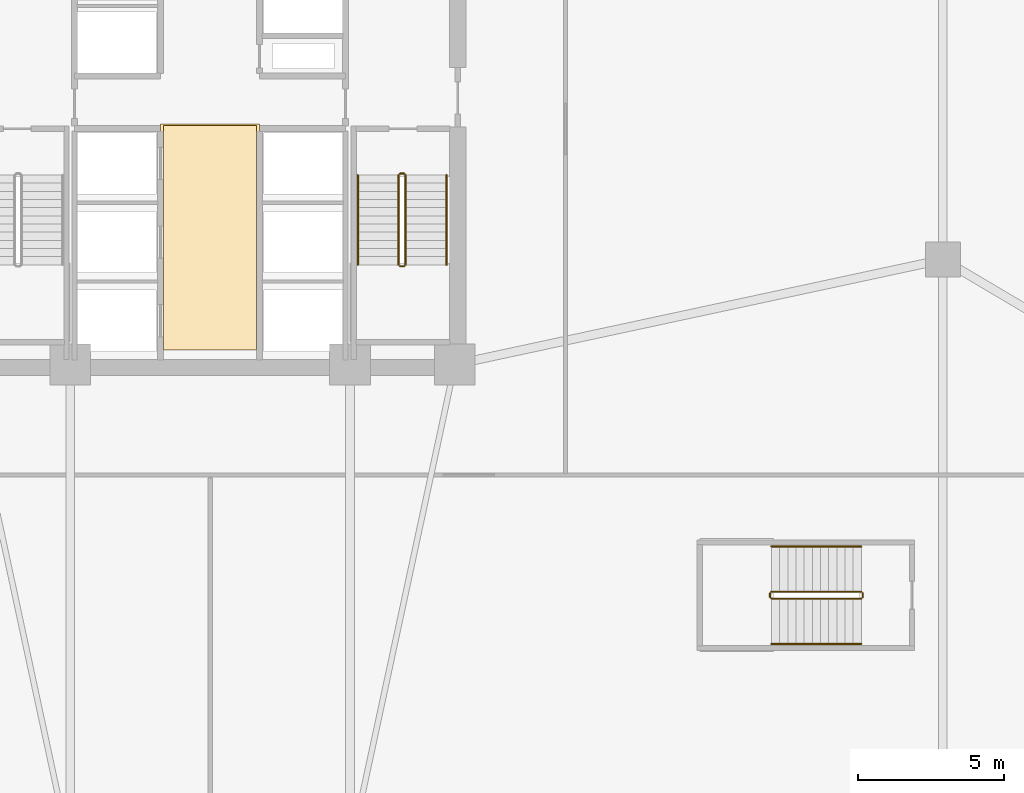
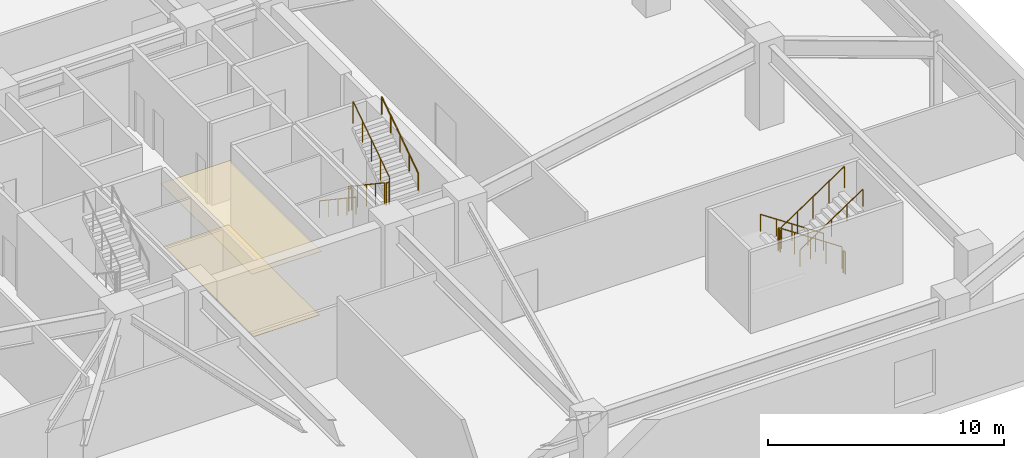
# One storey, part 18 of 21: 12 railings, 2 coverings.
"""IFC4 building model written with IfcOpenShell, lengths in metres."""

from ifc_helpers import new_model, si_unit, direction, frame, origin, origin_2d, place, context, subcontext, project, spatial, polyline, circle, outline, extrude, material, layer, layer_set, type_object, element, save


model = new_model("IFC4")

# Units and contexts
model_context = context("Model", 3, precision=1e-05, world=origin(), true_north=direction((0.0, 1.0)))
body_context = subcontext(model_context, "Body", "Model", "MODEL_VIEW")
ifc_project = project(units=[si_unit("LENGTHUNIT", "METRE"), si_unit("AREAUNIT", "SQUARE_METRE"), si_unit("VOLUMEUNIT", "CUBIC_METRE"), si_unit("PLANEANGLEUNIT", "RADIAN"), si_unit("MASSUNIT", "GRAM", prefix="KILO")], contexts=[model_context])

# Site, building, storey
site_placement = place(None, origin())
site = spatial("IfcSite", under=ifc_project, at=site_placement, CompositionType="ELEMENT")
building_placement = place(site_placement, origin())
building = spatial("IfcBuilding", under=site, at=building_placement, Name="Cairnveth Concourse Tower", CompositionType="ELEMENT")
storey_placement = place(building_placement, frame((0.0, 0.0, 10.0)))
storey = spatial("IfcBuildingStorey", under=building, at=storey_placement, Name="L02", CompositionType="ELEMENT", Elevation=10.0)

# Covering
ifc_material_1 = material(Name="Acoustic Mineral Fibre Ceiling", Category="gypsum")
ifc_layer_1 = layer(ifc_material_1, 0.02490234375)
ifc_layer_set_1 = layer_set([ifc_layer_1], Name="Acoustic Mineral Fibre Ceiling")
covering_type_1 = type_object("IfcCoveringType", Name="ACOUSTIC MINERAL FIBRE CEILING 25", PredefinedType="CEILING", material=ifc_layer_set_1)
covering_1_placement = place(storey_placement, frame((0.0, 0.0, 3.256103515625)))
element("IfcCovering", 1, at=covering_1_placement, inside=storey, type_object=covering_type_1, Name="Lift Lobby Acoustic Ceiling L02", PredefinedType="CEILING", context=body_context, shape_type="SweptSolid", body=[
    extrude(outline(polyline([(50.300048828125, 31.10009765625), (53.699951171875, 31.10009765625), (53.699951171875, 38.85009765625), (50.300048828125, 38.85009765625), (50.300048828125, 31.10009765625)])), origin(), (0.0, 0.0, 1.0), 0.02490234375),
])

# Railings
ifc_material_2 = material(Name="Steel Grade 350", Category="steel")
railing_type_1 = type_object("IfcRailingType", Name="STAIR GUARDRAIL 1150", PredefinedType="GUARDRAIL", material=ifc_material_2)
railing_1_placement = place(storey_placement, frame((58.469970703125, 37.10009765625, 0.1875)))
element("IfcRailing", 2, at=railing_1_placement, inside=storey, type_object=railing_type_1, Name="L02 ST-2 stair guard 1", PredefinedType="GUARDRAIL", context=body_context, shape_type="SweptSolid", body=[
    extrude(circle(Radius=0.02392578125, at=origin_2d()), frame((0.0, 0.0, 1.1259765625), z_axis=(0.0, -0.830913701846, 0.55640131208), x_axis=(1.0, 0.0, 0.0)), (0.0, 0.0, 1.0), 3.706787109375),
    extrude(circle(Radius=0.02099609375, at=origin_2d()), origin(), (0.0, 0.0, 1.0), 1.101806640625),
    extrude(circle(Radius=0.02099609375, at=origin_2d()), frame((0.0, -0.77001953125, 0.515625)), (0.0, 0.0, 1.0), 1.101806640625),
    extrude(circle(Radius=0.02099609375, at=origin_2d()), frame((0.0, -1.5400390625, 1.03125)), (0.0, 0.0, 1.0), 1.101806640625),
    extrude(circle(Radius=0.02099609375, at=origin_2d()), frame((0.0, -2.31005859375, 1.546875)), (0.0, 0.0, 1.0), 1.101806640625),
    extrude(circle(Radius=0.02099609375, at=origin_2d()), frame((0.0, -3.080078125, 2.0625)), (0.0, 0.0, 1.0), 1.101806640625),
])
railing_2_placement = place(storey_placement, frame((58.52001953125, 33.969970703125, 2.25)))
element("IfcRailing", 3, at=railing_2_placement, inside=storey, type_object=railing_type_1, Name="L02 ST-2 stair guard 2", PredefinedType="GUARDRAIL", context=body_context, shape_type="SweptSolid", body=[
    extrude(circle(Radius=0.02392578125, at=origin_2d()), frame((0.0, 0.0, 1.1259765625), z_axis=(1.0, 0.0, 0.0), x_axis=(0.0, 1.0, 0.0)), (0.0, 0.0, 1.0), 0.139892578125),
    extrude(circle(Radius=0.02099609375, at=origin_2d()), origin(), (0.0, 0.0, 1.0), 1.101806640625),
    extrude(circle(Radius=0.02099609375, at=origin_2d()), frame((0.139892578125, 0.0, 0.0)), (0.0, 0.0, 1.0), 1.101806640625),
])
railing_3_placement = place(storey_placement, frame((58.7099609375, 34.02001953125, 2.4375)))
element("IfcRailing", 4, at=railing_3_placement, inside=storey, type_object=railing_type_1, Name="L02 ST-2 stair guard 3", PredefinedType="GUARDRAIL", context=body_context, shape_type="SweptSolid", body=[
    extrude(circle(Radius=0.02392578125, at=origin_2d()), frame((0.0, 0.0, 1.1259765625), z_axis=(0.0, 0.830913701846, 0.55640131208), x_axis=(-1.0, 0.0, 0.0)), (0.0, 0.0, 1.0), 3.706787109375),
    extrude(circle(Radius=0.02099609375, at=origin_2d()), origin(), (0.0, 0.0, 1.0), 1.101806640625),
    extrude(circle(Radius=0.02099609375, at=origin_2d()), frame((0.0, 0.77001953125, 0.515625)), (0.0, 0.0, 1.0), 1.101806640625),
    extrude(circle(Radius=0.02099609375, at=origin_2d()), frame((0.0, 1.5400390625, 1.03125)), (0.0, 0.0, 1.0), 1.101806640625),
    extrude(circle(Radius=0.02099609375, at=origin_2d()), frame((0.0, 2.31005859375, 1.546875)), (0.0, 0.0, 1.0), 1.101806640625),
    extrude(circle(Radius=0.02099609375, at=origin_2d()), frame((0.0, 3.080078125, 2.0625)), (0.0, 0.0, 1.0), 1.101806640625),
])
railing_4_placement = place(storey_placement, frame((58.52001953125, 37.14990234375, 0.0)))
element("IfcRailing", 5, at=railing_4_placement, inside=storey, type_object=railing_type_1, Name="L02 ST-2 stair guard 4", PredefinedType="GUARDRAIL", context=body_context, shape_type="SweptSolid", body=[
    extrude(circle(Radius=0.02392578125, at=origin_2d()), frame((0.0, 0.0, 1.1259765625), z_axis=(1.0, 0.0, 0.0), x_axis=(0.0, 1.0, 0.0)), (0.0, 0.0, 1.0), 0.139892578125),
    extrude(circle(Radius=0.02099609375, at=origin_2d()), origin(), (0.0, 0.0, 1.0), 1.101806640625),
    extrude(circle(Radius=0.02099609375, at=origin_2d()), frame((0.139892578125, 0.0, 0.0)), (0.0, 0.0, 1.0), 1.101806640625),
])
railing_5_placement = place(storey_placement, frame((74.35009765625, 22.800048828125, 0.1875)))
element("IfcRailing", 6, at=railing_5_placement, inside=storey, type_object=railing_type_1, Name="L02 ST-P2 stair guard 1", PredefinedType="GUARDRAIL", context=body_context, shape_type="SweptSolid", body=[
    extrude(circle(Radius=0.02392578125, at=origin_2d()), frame((0.0, 0.0, 1.1259765625), z_axis=(-0.830913701846, 0.0, 0.55640131208), x_axis=(0.0, -1.0, 0.0)), (0.0, 0.0, 1.0), 3.706787109375),
    extrude(circle(Radius=0.02099609375, at=origin_2d()), origin(), (0.0, 0.0, 1.0), 1.101806640625),
    extrude(circle(Radius=0.02099609375, at=origin_2d()), frame((-0.77001953125, 0.0, 0.515625)), (0.0, 0.0, 1.0), 1.101806640625),
    extrude(circle(Radius=0.02099609375, at=origin_2d()), frame((-1.5400390625, 0.0, 1.03125)), (0.0, 0.0, 1.0), 1.101806640625),
    extrude(circle(Radius=0.02099609375, at=origin_2d()), frame((-2.31005859375, 0.0, 1.546875)), (0.0, 0.0, 1.0), 1.101806640625),
    extrude(circle(Radius=0.02099609375, at=origin_2d()), frame((-3.080078125, 0.0, 2.0625)), (0.0, 0.0, 1.0), 1.101806640625),
])
railing_6_placement = place(storey_placement, frame((71.219970703125, 22.75, 2.25)))
element("IfcRailing", 7, at=railing_6_placement, inside=storey, type_object=railing_type_1, Name="L02 ST-P2 stair guard 2", PredefinedType="GUARDRAIL", context=body_context, shape_type="SweptSolid", body=[
    extrude(circle(Radius=0.02392578125, at=origin_2d()), frame((0.0, 0.0, 1.1259765625), z_axis=(0.0, -1.0, 0.0), x_axis=(1.0, 0.0, 0.0)), (0.0, 0.0, 1.0), 0.139892578125),
    extrude(circle(Radius=0.02099609375, at=origin_2d()), origin(), (0.0, 0.0, 1.0), 1.101806640625),
    extrude(circle(Radius=0.02099609375, at=origin_2d()), frame((0.0, -0.139892578125, 0.0)), (0.0, 0.0, 1.0), 1.101806640625),
])
railing_7_placement = place(storey_placement, frame((71.27001953125, 22.56005859375, 2.4375)))
element("IfcRailing", 8, at=railing_7_placement, inside=storey, type_object=railing_type_1, Name="L02 ST-P2 stair guard 3", PredefinedType="GUARDRAIL", context=body_context, shape_type="SweptSolid", body=[
    extrude(circle(Radius=0.02392578125, at=origin_2d()), frame((0.0, 0.0, 1.1259765625), z_axis=(0.830913701846, 0.0, 0.55640131208), x_axis=(0.0, 1.0, 0.0)), (0.0, 0.0, 1.0), 3.706787109375),
    extrude(circle(Radius=0.02099609375, at=origin_2d()), origin(), (0.0, 0.0, 1.0), 1.101806640625),
    extrude(circle(Radius=0.02099609375, at=origin_2d()), frame((0.77001953125, 0.0, 0.515625)), (0.0, 0.0, 1.0), 1.101806640625),
    extrude(circle(Radius=0.02099609375, at=origin_2d()), frame((1.5400390625, 0.0, 1.03125)), (0.0, 0.0, 1.0), 1.101806640625),
    extrude(circle(Radius=0.02099609375, at=origin_2d()), frame((2.31005859375, 0.0, 1.546875)), (0.0, 0.0, 1.0), 1.101806640625),
    extrude(circle(Radius=0.02099609375, at=origin_2d()), frame((3.080078125, 0.0, 2.0625)), (0.0, 0.0, 1.0), 1.101806640625),
])
railing_8_placement = place(storey_placement, frame((74.39990234375, 22.75, 0.0)))
element("IfcRailing", 9, at=railing_8_placement, inside=storey, type_object=railing_type_1, Name="L02 ST-P2 stair guard 4", PredefinedType="GUARDRAIL", context=body_context, shape_type="SweptSolid", body=[
    extrude(circle(Radius=0.02392578125, at=origin_2d()), frame((0.0, 0.0, 1.1259765625), z_axis=(0.0, -1.0, 0.0), x_axis=(1.0, 0.0, 0.0)), (0.0, 0.0, 1.0), 0.139892578125),
    extrude(circle(Radius=0.02099609375, at=origin_2d()), origin(), (0.0, 0.0, 1.0), 1.101806640625),
    extrude(circle(Radius=0.02099609375, at=origin_2d()), frame((0.0, -0.139892578125, 0.0)), (0.0, 0.0, 1.0), 1.101806640625),
])
railing_type_2 = type_object("IfcRailingType", Name="STAIR WALL HANDRAIL 900", PredefinedType="HANDRAIL", material=ifc_material_2)
railing_9_placement = place(storey_placement, frame((57.070068359375, 37.10009765625, 0.1875)))
element("IfcRailing", 10, at=railing_9_placement, inside=storey, type_object=railing_type_2, Name="L02 ST-2 stair handrail 1", PredefinedType="HANDRAIL", context=body_context, shape_type="SweptSolid", body=[
    extrude(circle(Radius=0.02392578125, at=origin_2d()), frame((0.0, 0.0, 0.8759765625), z_axis=(0.0, -0.830913701846, 0.55640131208), x_axis=(1.0, 0.0, 0.0)), (0.0, 0.0, 1.0), 3.706787109375),
    extrude(circle(Radius=0.02099609375, at=origin_2d()), origin(), (0.0, 0.0, 1.0), 0.851806640625),
    extrude(circle(Radius=0.02099609375, at=origin_2d()), frame((0.0, -0.77001953125, 0.515625)), (0.0, 0.0, 1.0), 0.851806640625),
    extrude(circle(Radius=0.02099609375, at=origin_2d()), frame((0.0, -1.5400390625, 1.03125)), (0.0, 0.0, 1.0), 0.851806640625),
    extrude(circle(Radius=0.02099609375, at=origin_2d()), frame((0.0, -2.31005859375, 1.546875)), (0.0, 0.0, 1.0), 0.851806640625),
    extrude(circle(Radius=0.02099609375, at=origin_2d()), frame((0.0, -3.080078125, 2.0625)), (0.0, 0.0, 1.0), 0.851806640625),
])
railing_10_placement = place(storey_placement, frame((60.110107421875, 34.02001953125, 2.4375)))
element("IfcRailing", 11, at=railing_10_placement, inside=storey, type_object=railing_type_2, Name="L02 ST-2 stair handrail 2", PredefinedType="HANDRAIL", context=body_context, shape_type="SweptSolid", body=[
    extrude(circle(Radius=0.02392578125, at=origin_2d()), frame((0.0, 0.0, 0.8759765625), z_axis=(0.0, 0.830913701846, 0.55640131208), x_axis=(-1.0, 0.0, 0.0)), (0.0, 0.0, 1.0), 3.706787109375),
    extrude(circle(Radius=0.02099609375, at=origin_2d()), origin(), (0.0, 0.0, 1.0), 0.851806640625),
    extrude(circle(Radius=0.02099609375, at=origin_2d()), frame((0.0, 0.77001953125, 0.515625)), (0.0, 0.0, 1.0), 0.851806640625),
    extrude(circle(Radius=0.02099609375, at=origin_2d()), frame((0.0, 1.5400390625, 1.03125)), (0.0, 0.0, 1.0), 0.851806640625),
    extrude(circle(Radius=0.02099609375, at=origin_2d()), frame((0.0, 2.31005859375, 1.546875)), (0.0, 0.0, 1.0), 0.851806640625),
    extrude(circle(Radius=0.02099609375, at=origin_2d()), frame((0.0, 3.080078125, 2.0625)), (0.0, 0.0, 1.0), 0.851806640625),
])
railing_11_placement = place(storey_placement, frame((74.35009765625, 24.35009765625, 0.1875)))
element("IfcRailing", 12, at=railing_11_placement, inside=storey, type_object=railing_type_2, Name="L02 ST-P2 stair handrail 1", PredefinedType="HANDRAIL", context=body_context, shape_type="SweptSolid", body=[
    extrude(circle(Radius=0.02392578125, at=origin_2d()), frame((0.0, 0.0, 0.8759765625), z_axis=(-0.830913701846, 0.0, 0.55640131208), x_axis=(0.0, -1.0, 0.0)), (0.0, 0.0, 1.0), 3.706787109375),
    extrude(circle(Radius=0.02099609375, at=origin_2d()), origin(), (0.0, 0.0, 1.0), 0.851806640625),
    extrude(circle(Radius=0.02099609375, at=origin_2d()), frame((-0.77001953125, 0.0, 0.515625)), (0.0, 0.0, 1.0), 0.851806640625),
    extrude(circle(Radius=0.02099609375, at=origin_2d()), frame((-1.5400390625, 0.0, 1.03125)), (0.0, 0.0, 1.0), 0.851806640625),
    extrude(circle(Radius=0.02099609375, at=origin_2d()), frame((-2.31005859375, 0.0, 1.546875)), (0.0, 0.0, 1.0), 0.851806640625),
    extrude(circle(Radius=0.02099609375, at=origin_2d()), frame((-3.080078125, 0.0, 2.0625)), (0.0, 0.0, 1.0), 0.851806640625),
])
railing_12_placement = place(storey_placement, frame((71.27001953125, 21.010009765625, 2.4375)))
element("IfcRailing", 13, at=railing_12_placement, inside=storey, type_object=railing_type_2, Name="L02 ST-P2 stair handrail 2", PredefinedType="HANDRAIL", context=body_context, shape_type="SweptSolid", body=[
    extrude(circle(Radius=0.02392578125, at=origin_2d()), frame((0.0, 0.0, 0.8759765625), z_axis=(0.830913701846, 0.0, 0.55640131208), x_axis=(0.0, 1.0, 0.0)), (0.0, 0.0, 1.0), 3.706787109375),
    extrude(circle(Radius=0.02099609375, at=origin_2d()), origin(), (0.0, 0.0, 1.0), 0.851806640625),
    extrude(circle(Radius=0.02099609375, at=origin_2d()), frame((0.77001953125, 0.0, 0.515625)), (0.0, 0.0, 1.0), 0.851806640625),
    extrude(circle(Radius=0.02099609375, at=origin_2d()), frame((1.5400390625, 0.0, 1.03125)), (0.0, 0.0, 1.0), 0.851806640625),
    extrude(circle(Radius=0.02099609375, at=origin_2d()), frame((2.31005859375, 0.0, 1.546875)), (0.0, 0.0, 1.0), 0.851806640625),
    extrude(circle(Radius=0.02099609375, at=origin_2d()), frame((3.080078125, 0.0, 2.0625)), (0.0, 0.0, 1.0), 0.851806640625),
])

# Covering
ifc_material_3 = material(Name="Vitrified Stoneware Tile Flooring", Category="masonry")
ifc_layer_2 = layer(ifc_material_3, 0.02001953125)
ifc_layer_set_2 = layer_set([ifc_layer_2], Name="Vitrified Stoneware Tile Flooring")
covering_type_2 = type_object("IfcCoveringType", Name="VITRIFIED STONEWARE LOBBY FLOORING 20", PredefinedType="FLOORING", material=ifc_layer_set_2)
covering_2_placement = place(storey_placement, origin())
element("IfcCovering", 14, at=covering_2_placement, inside=storey, type_object=covering_type_2, Name="Lift Lobby Stoneware Flooring L02", PredefinedType="FLOORING", context=body_context, shape_type="SweptSolid", body=[
    extrude(outline(polyline([(50.39990234375, 31.10009765625), (53.60009765625, 31.10009765625), (53.60009765625, 38.800048828125), (50.39990234375, 38.800048828125), (50.39990234375, 31.10009765625)])), origin(), (0.0, 0.0, 1.0), 0.02001953125),
])

save(model, "model.ifc")
